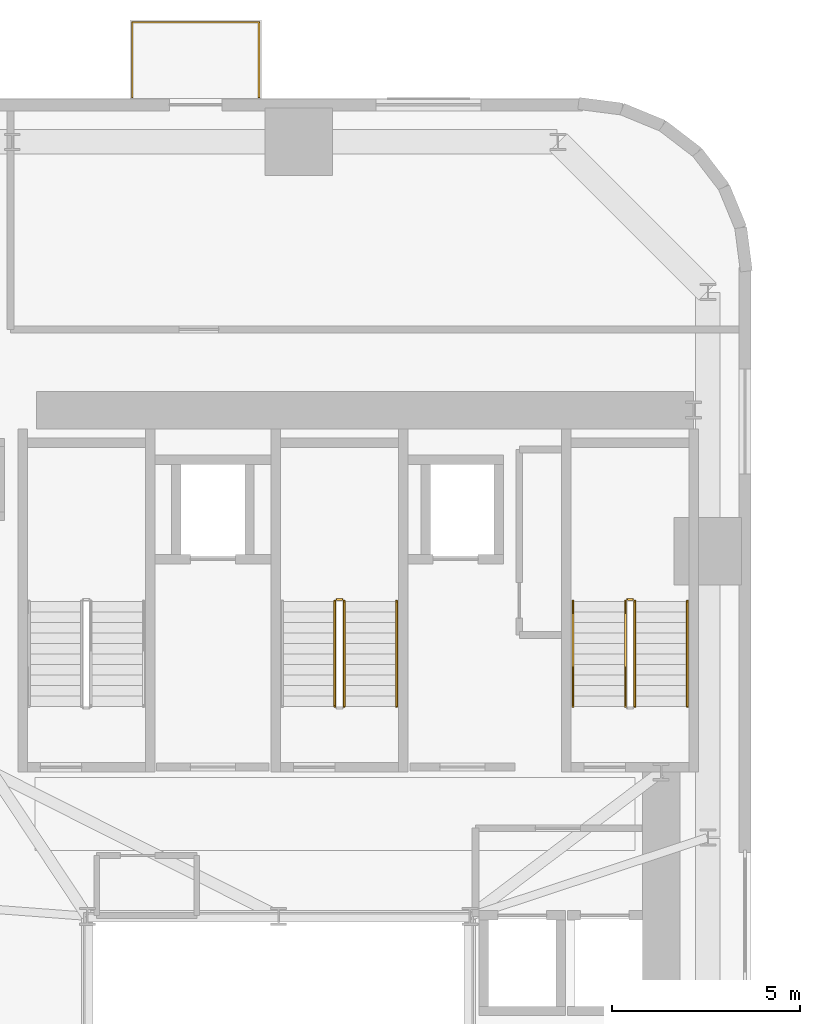
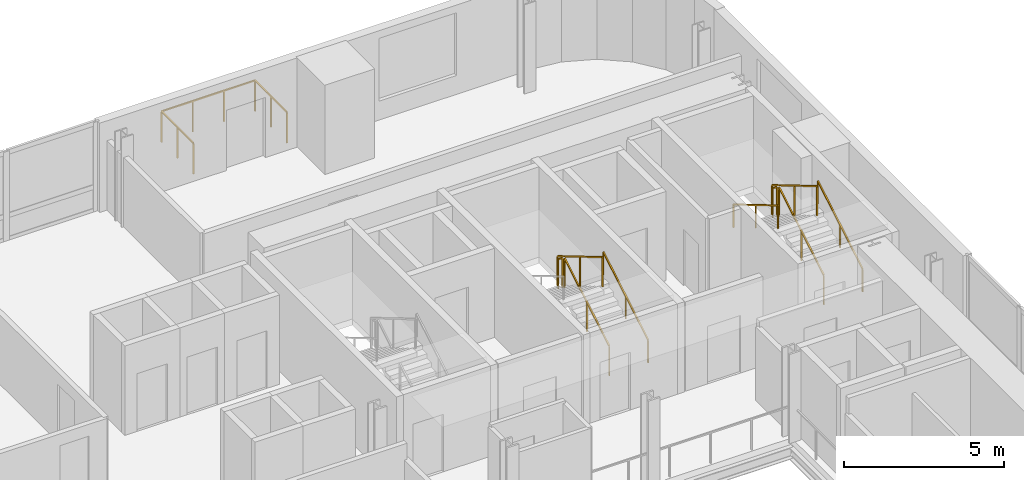
# One storey, part 13 of 13: 10 railings.
"""IFC4 building model written with IfcOpenShell, lengths in metres."""

from ifc_helpers import new_model, si_unit, direction, frame, origin, origin_2d, place, context, subcontext, project, spatial, rectangle, extrude, source, transform, mapped, material, type_object, element, save


model = new_model("IFC4")

# Units and contexts
model_context = context("Model", 3, precision=1e-05, world=origin(), true_north=direction((0.0, 1.0)))
body_context = subcontext(model_context, "Body", "Model", "MODEL_VIEW")
ifc_project = project(units=[si_unit("LENGTHUNIT", "METRE"), si_unit("AREAUNIT", "SQUARE_METRE"), si_unit("VOLUMEUNIT", "CUBIC_METRE"), si_unit("PLANEANGLEUNIT", "RADIAN"), si_unit("MASSUNIT", "GRAM", prefix="KILO")], contexts=[model_context])

# Site, building, storey
site_placement = place(None, origin())
site = spatial("IfcSite", under=ifc_project, at=site_placement, CompositionType="ELEMENT")
building_placement = place(site_placement, origin())
building = spatial("IfcBuilding", under=site, at=building_placement, Name="Vardaveli Station Tower", CompositionType="ELEMENT")
storey_placement = place(building_placement, frame((0.0, 0.0, 64.10009765625)))
storey = spatial("IfcBuildingStorey", under=building, at=storey_placement, Name="L16", CompositionType="ELEMENT", Elevation=64.10009765625)

# Railings
ifc_material_1 = material(Name="Laminated glass and stainless steel balustrade", Category="steel")
railing_type_1 = type_object("IfcRailingType", Name="RL-BAL-1200", PredefinedType="BALUSTRADE", material=ifc_material_1)
shared_shape_1 = source(origin(), body_context, "Body", "SweptSolid", [
    extrude(rectangle(XDim=0.048095703125, YDim=0.048095703125, at=origin_2d()), frame((0.0, 0.0, 1.17578125), z_axis=(0.0, 1.0, 0.0), x_axis=(-1.0, 0.0, 0.0)), (0.0, 0.0, 1.0), 2.0),
    extrude(rectangle(XDim=0.048095703125, YDim=0.048095703125, at=origin_2d()), frame((0.0, 2.0, 1.17578125), z_axis=(1.0, 0.0, 0.0), x_axis=(0.0, 1.0, 0.0)), (0.0, 0.0, 1.0), 3.3798828125),
    extrude(rectangle(XDim=0.048095703125, YDim=0.048095703125, at=origin_2d()), frame((3.3798828125, 2.0, 1.17578125), z_axis=(0.0, -1.0, 0.0), x_axis=(1.0, 0.0, 0.0)), (0.0, 0.0, 1.0), 2.0),
    extrude(rectangle(XDim=0.0419921875, YDim=0.0419921875, at=origin_2d()), origin(), (0.0, 0.0, 1.0), 1.15185546875),
    extrude(rectangle(XDim=0.0419921875, YDim=0.0419921875, at=origin_2d()), frame((0.0, 1.0, 0.0)), (0.0, 0.0, 1.0), 1.15185546875),
    extrude(rectangle(XDim=0.0419921875, YDim=0.0419921875, at=origin_2d()), frame((0.0, 2.0, 0.0)), (0.0, 0.0, 1.0), 1.15185546875),
    extrude(rectangle(XDim=0.0419921875, YDim=0.0419921875, at=origin_2d()), frame((1.126708984375, 2.0, 0.0)), (0.0, 0.0, 1.0), 1.15185546875),
    extrude(rectangle(XDim=0.0419921875, YDim=0.0419921875, at=origin_2d()), frame((2.253173828125, 2.0, 0.0)), (0.0, 0.0, 1.0), 1.15185546875),
    extrude(rectangle(XDim=0.0419921875, YDim=0.0419921875, at=origin_2d()), frame((3.3798828125, 2.0, 0.0)), (0.0, 0.0, 1.0), 1.15185546875),
    extrude(rectangle(XDim=0.0419921875, YDim=0.0419921875, at=origin_2d()), frame((3.3798828125, 1.0, 0.0)), (0.0, 0.0, 1.0), 1.15185546875),
    extrude(rectangle(XDim=0.0419921875, YDim=0.0419921875, at=origin_2d()), frame((3.3798828125, 0.0, 0.0)), (0.0, 0.0, 1.0), 1.15185546875),
])
railing_1_placement = place(storey_placement, frame((32.399658203125, 48.639892578125, 0.0)))
element("IfcRailing", 1, at=railing_1_placement, inside=storey, type_object=railing_type_1, Name="RL-LOG-L16-02", PredefinedType="BALUSTRADE", context=body_context, shape_type="MappedRepresentation", body=[
    mapped(shared_shape_1, transform((0.0, 0.0, 0.0), scale=1.0)),
])
ifc_material_2 = material(Name="Brushed AISI 316 stainless steel", Category="steel")
railing_type_2 = type_object("IfcRailingType", Name="RL-GUARD-1150", PredefinedType="GUARDRAIL", material=ifc_material_2)
shared_shape_2 = source(origin(), body_context, "Body", "SweptSolid", [
    extrude(rectangle(XDim=0.048095703125, YDim=0.048095703125, at=origin_2d()), frame((0.0, 0.0, 1.1259765625), z_axis=(-1.0, 0.0, 0.0), x_axis=(0.0, -1.0, 0.0)), (0.0, 0.0, 1.0), 0.14990234375),
    extrude(rectangle(XDim=0.0419921875, YDim=0.0419921875, at=origin_2d()), origin(), (0.0, 0.0, 1.0), 1.101806640625),
    extrude(rectangle(XDim=0.0419921875, YDim=0.0419921875, at=origin_2d()), frame((-0.14990234375, 0.0, 0.0)), (0.0, 0.0, 1.0), 1.101806640625),
])
for number, where, name in (
    (2, (38.0, 35.25, 1.824951171875), "L16 ST-2 stair guard 2"),
    (3, (45.75, 35.25, 1.824951171875), "L16 ST-3 stair guard 2"),
):
    element("IfcRailing", number, at=place(storey_placement, frame(where)), inside=storey, type_object=railing_type_2, Name=name, PredefinedType="GUARDRAIL", context=body_context, shape_type="MappedRepresentation", body=[
        mapped(shared_shape_2, transform((0.0, 0.0, 0.0), scale=1.0)),
    ])
shared_shape_3 = source(origin(), body_context, "Body", "SweptSolid", [
    extrude(rectangle(XDim=0.048095703125, YDim=0.048095703125, at=origin_2d()), frame((0.0, 0.0, 1.1259765625), z_axis=(0.0, 0.860306154799, 0.50977771628), x_axis=(-1.0, 0.0, 0.0)), (0.0, 0.0, 1.0), 3.254638671875),
    extrude(rectangle(XDim=0.0419921875, YDim=0.0419921875, at=origin_2d()), origin(), (0.0, 0.0, 1.0), 1.101806640625),
    extrude(rectangle(XDim=0.0419921875, YDim=0.0419921875, at=origin_2d()), frame((0.0, 1.39990234375, 0.82958984375)), (0.0, 0.0, 1.0), 1.101806640625),
    extrude(rectangle(XDim=0.0419921875, YDim=0.0419921875, at=origin_2d()), frame((0.0, 2.800048828125, 1.6591796875)), (0.0, 0.0, 1.0), 1.101806640625),
])
for number, where, name in (
    (4, (38.050048828125, 32.39990234375, 0.165771484375), "L16 ST-2 stair guard 1"),
    (5, (45.800048828125, 32.39990234375, 0.165771484375), "L16 ST-3 stair guard 1"),
):
    element("IfcRailing", number, at=place(storey_placement, frame(where)), inside=storey, type_object=railing_type_2, Name=name, PredefinedType="GUARDRAIL", context=body_context, shape_type="MappedRepresentation", body=[
        mapped(shared_shape_3, transform((0.0, 0.0, 0.0), scale=1.0)),
    ])
shared_shape_4 = source(origin(), body_context, "Body", "SweptSolid", [
    extrude(rectangle(XDim=0.048095703125, YDim=0.048095703125, at=origin_2d()), frame((0.0, 0.0, 1.1259765625), z_axis=(0.0, -0.860306154799, 0.50977771628), x_axis=(1.0, 0.0, 0.0)), (0.0, 0.0, 1.0), 3.254638671875),
    extrude(rectangle(XDim=0.0419921875, YDim=0.0419921875, at=origin_2d()), origin(), (0.0, 0.0, 1.0), 1.101806640625),
    extrude(rectangle(XDim=0.0419921875, YDim=0.0419921875, at=origin_2d()), frame((0.0, -1.39990234375, 0.82958984375)), (0.0, 0.0, 1.0), 1.101806640625),
    extrude(rectangle(XDim=0.0419921875, YDim=0.0419921875, at=origin_2d()), frame((0.0, -2.800048828125, 1.6591796875)), (0.0, 0.0, 1.0), 1.101806640625),
])
for number, where, name in (
    (6, (37.800048828125, 35.199951171875, 1.99072265625), "L16 ST-2 stair guard 3"),
    (7, (45.550048828125, 35.199951171875, 1.99072265625), "L16 ST-3 stair guard 3"),
):
    element("IfcRailing", number, at=place(storey_placement, frame(where)), inside=storey, type_object=railing_type_2, Name=name, PredefinedType="GUARDRAIL", context=body_context, shape_type="MappedRepresentation", body=[
        mapped(shared_shape_4, transform((0.0, 0.0, 0.0), scale=1.0)),
    ])
railing_type_3 = type_object("IfcRailingType", Name="RL-HAND-900", PredefinedType="HANDRAIL", material=ifc_material_2)
shared_shape_5 = source(origin(), body_context, "Body", "SweptSolid", [
    extrude(rectangle(XDim=0.048095703125, YDim=0.048095703125, at=origin_2d()), frame((0.0, 0.0, 0.8759765625), z_axis=(0.0, 0.860306154799, 0.50977771628), x_axis=(-1.0, 0.0, 0.0)), (0.0, 0.0, 1.0), 3.254638671875),
    extrude(rectangle(XDim=0.0419921875, YDim=0.0419921875, at=origin_2d()), origin(), (0.0, 0.0, 1.0), 0.851806640625),
    extrude(rectangle(XDim=0.0419921875, YDim=0.0419921875, at=origin_2d()), frame((0.0, 1.39990234375, 0.82958984375)), (0.0, 0.0, 1.0), 0.851806640625),
    extrude(rectangle(XDim=0.0419921875, YDim=0.0419921875, at=origin_2d()), frame((0.0, 2.800048828125, 1.6591796875)), (0.0, 0.0, 1.0), 0.851806640625),
])
for number, where, name in (
    (8, (39.449951171875, 32.39990234375, 0.165771484375), "L16 ST-2 stair handrail 1"),
    (9, (47.199951171875, 32.39990234375, 0.165771484375), "L16 ST-3 stair handrail 1"),
):
    element("IfcRailing", number, at=place(storey_placement, frame(where)), inside=storey, type_object=railing_type_3, Name=name, PredefinedType="HANDRAIL", context=body_context, shape_type="MappedRepresentation", body=[
        mapped(shared_shape_5, transform((0.0, 0.0, 0.0), scale=1.0)),
    ])
shared_shape_6 = source(origin(), body_context, "Body", "SweptSolid", [
    extrude(rectangle(XDim=0.048095703125, YDim=0.048095703125, at=origin_2d()), frame((0.0, 0.0, 0.8759765625), z_axis=(0.0, -0.860306154799, 0.50977771628), x_axis=(1.0, 0.0, 0.0)), (0.0, 0.0, 1.0), 3.254638671875),
    extrude(rectangle(XDim=0.0419921875, YDim=0.0419921875, at=origin_2d()), origin(), (0.0, 0.0, 1.0), 0.851806640625),
    extrude(rectangle(XDim=0.0419921875, YDim=0.0419921875, at=origin_2d()), frame((0.0, -1.39990234375, 0.82958984375)), (0.0, 0.0, 1.0), 0.851806640625),
    extrude(rectangle(XDim=0.0419921875, YDim=0.0419921875, at=origin_2d()), frame((0.0, -2.800048828125, 1.6591796875)), (0.0, 0.0, 1.0), 0.851806640625),
])
railing_2_placement = place(storey_placement, frame((44.14990234375, 35.199951171875, 1.99072265625)))
element("IfcRailing", 10, at=railing_2_placement, inside=storey, type_object=railing_type_3, Name="L16 ST-3 stair handrail 2", PredefinedType="HANDRAIL", context=body_context, shape_type="MappedRepresentation", body=[
    mapped(shared_shape_6, transform((0.0, 0.0, 0.0), scale=1.0)),
])

save(model, "model.ifc")
